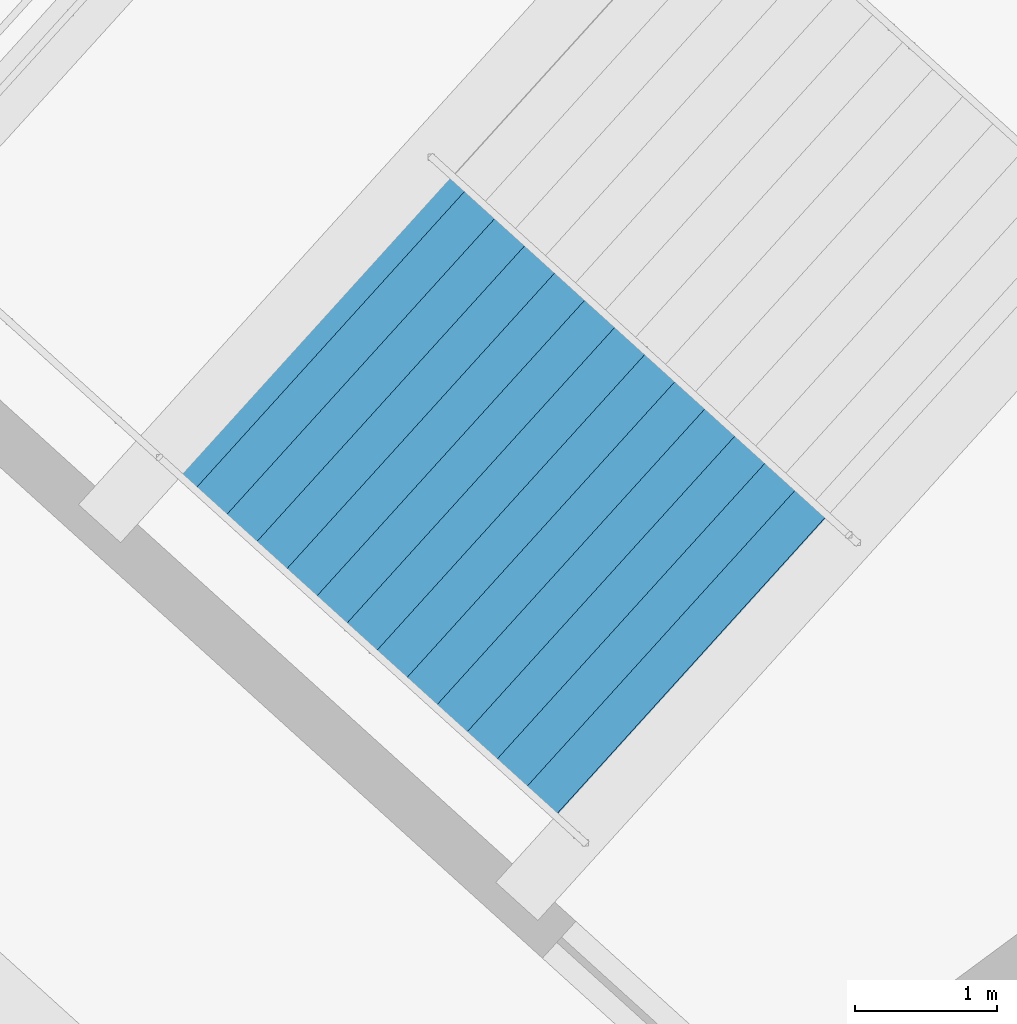
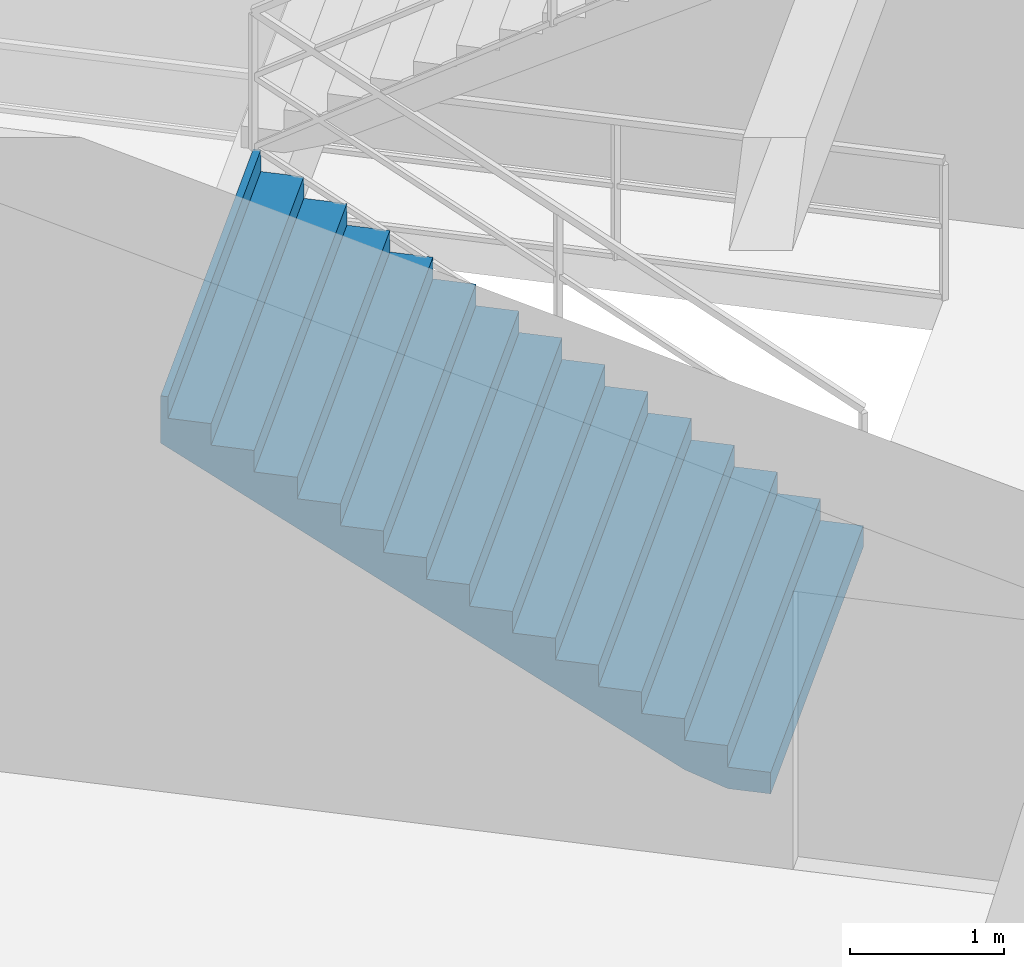
# One storey, part 173 of 184: 1 stair flight, 1 element without a shape of its own.
"""IFC4 building model written with IfcOpenShell, lengths in metres."""

from ifc_helpers import new_model, si_unit, direction, frame, origin, place, context, subcontext, project, spatial, polygons, material, type_object, element, aggregate, save


model = new_model("IFC4")

# Units and contexts
model_context = context("Model", 3, precision=1e-05, world=origin(), true_north=direction((0.0, 1.0)))
body_context = subcontext(model_context, "Body", "Model", "MODEL_VIEW")
ifc_project = project(units=[si_unit("LENGTHUNIT", "METRE"), si_unit("AREAUNIT", "SQUARE_METRE"), si_unit("VOLUMEUNIT", "CUBIC_METRE"), si_unit("PLANEANGLEUNIT", "RADIAN"), si_unit("MASSUNIT", "GRAM", prefix="KILO")], contexts=[model_context])

# Site, building, storey
site_placement = place(None, origin())
site = spatial("IfcSite", under=ifc_project, at=site_placement, CompositionType="ELEMENT")
building_placement = place(site_placement, origin())
building = spatial("IfcBuilding", under=site, at=building_placement, Name="Kazemori Nagisa Stadium", CompositionType="ELEMENT")
storey_placement = place(building_placement, frame((0.0, 0.0, 10.5400390625)))
storey = spatial("IfcBuildingStorey", under=building, at=storey_placement, Name="L02", CompositionType="ELEMENT", Elevation=10.5400390625)

# Stair, stair flight
ifc_material = material(Name="Concrete C36/45 (Fc36)", Category="concrete")
stair_type = type_object("IfcStairType", Name="Stair_CORE_30", PredefinedType="TWO_STRAIGHT_RUN_STAIR", material=ifc_material)
stair_placement = place(storey_placement, origin())
stair = element("IfcStair", 1, at=stair_placement, inside=storey, type_object=stair_type, Name="Exit stair ST01 L02", PredefinedType="TWO_STRAIGHT_RUN_STAIR")
stair_flight_type = type_object("IfcStairFlightType", Name="Flight_CORE_15", PredefinedType="STRAIGHT", material=ifc_material)
stair_flight_placement = place(storey_placement, frame((191.89208984375, 156.3369140625, 0.0), z_axis=(0.0, 0.0, 1.0), x_axis=(-0.741356002691, 0.671111970742, 0.0)))
stair_flight = element("IfcStairFlight", 2, at=stair_flight_placement, type_object=stair_flight_type, Name="Exit stair ST01 L02 flight 1", NumberOfRisers=15, NumberOfTreads=14, PredefinedType="STRAIGHT", RiserHeight=0.17, TreadLength=0.285, context=body_context, shape_type="Tessellation", body=[
    polygons([(0.0, -1.425048828125, 0.0), (0.0, -1.425048828125, 0.169921875), (0.284912109375, -1.425048828125, 0.169921875), (0.284912109375, -1.425048828125, 0.340087890625), (0.570068359375, -1.425048828125, 0.340087890625), (0.570068359375, -1.425048828125, 0.510009765625), (0.85498046875, -1.425048828125, 0.510009765625), (0.85498046875, -1.425048828125, 0.679931640625), (1.139892578125, -1.425048828125, 0.679931640625), (1.139892578125, -1.425048828125, 0.85009765625), (1.425048828125, -1.425048828125, 0.85009765625), (1.425048828125, -1.425048828125, 1.02001953125), (1.7099609375, -1.425048828125, 1.02001953125), (1.7099609375, -1.425048828125, 1.18994140625), (1.9951171875, -1.425048828125, 1.18994140625), (1.9951171875, -1.425048828125, 1.360107421875), (2.280029296875, -1.425048828125, 1.360107421875), (2.280029296875, -1.425048828125, 1.530029296875), (2.56494140625, -1.425048828125, 1.530029296875), (2.56494140625, -1.425048828125, 1.699951171875), (2.85009765625, -1.425048828125, 1.699951171875), (2.85009765625, -1.425048828125, 1.8701171875), (3.135009765625, -1.425048828125, 1.8701171875), (3.135009765625, -1.425048828125, 2.0400390625), (3.419921875, -1.425048828125, 2.0400390625), (3.419921875, -1.425048828125, 2.2099609375), (3.705078125, -1.425048828125, 2.2099609375), (3.705078125, -1.425048828125, 2.3798828125), (3.989990234375, -1.425048828125, 2.3798828125), (3.989990234375, -1.425048828125, 2.550048828125), (4.0400390625, -1.425048828125, 2.550048828125), (4.0400390625, -1.425048828125, 2.177001953125), (3.989990234375, -1.425048828125, 2.147216796875), (3.705078125, -1.425048828125, 1.977294921875), (3.419921875, -1.425048828125, 1.80712890625), (3.135009765625, -1.425048828125, 1.63720703125), (2.85009765625, -1.425048828125, 1.46728515625), (2.56494140625, -1.425048828125, 1.297119140625), (2.280029296875, -1.425048828125, 1.127197265625), (1.9951171875, -1.425048828125, 0.957275390625), (1.7099609375, -1.425048828125, 0.787109375), (1.425048828125, -1.425048828125, 0.6171875), (1.139892578125, -1.425048828125, 0.447265625), (0.85498046875, -1.425048828125, 0.277099609375), (0.570068359375, -1.425048828125, 0.107177734375), (0.284912109375, -1.425048828125, 0.0), (0.0, -0.08544921875, 0.0), (0.0, -0.08544921875, 0.169921875), (0.284912109375, -0.08544921875, 0.169921875), (0.284912109375, -0.08544921875, 0.340087890625), (0.570068359375, -0.08544921875, 0.340087890625), (0.570068359375, -0.08544921875, 0.510009765625), (0.85498046875, -0.08544921875, 0.510009765625), (0.85498046875, -0.08544921875, 0.679931640625), (1.139892578125, -0.08544921875, 0.679931640625), (1.139892578125, -0.08544921875, 0.85009765625), (1.425048828125, -0.08544921875, 0.85009765625), (1.425048828125, -0.08544921875, 1.02001953125), (1.7099609375, -0.08544921875, 1.02001953125), (1.7099609375, -0.08544921875, 1.18994140625), (1.9951171875, -0.08544921875, 1.18994140625), (1.9951171875, -0.08544921875, 1.360107421875), (2.280029296875, -0.08544921875, 1.360107421875), (2.280029296875, -0.08544921875, 1.530029296875), (2.56494140625, -0.08544921875, 1.530029296875), (2.56494140625, -0.08544921875, 1.699951171875), (2.85009765625, -0.08544921875, 1.699951171875), (2.85009765625, -0.08544921875, 1.8701171875), (3.135009765625, -0.08544921875, 1.8701171875), (3.135009765625, -0.08544921875, 2.0400390625), (3.419921875, -0.08544921875, 2.0400390625), (3.419921875, -0.08544921875, 2.2099609375), (3.705078125, -0.08544921875, 2.2099609375), (3.705078125, -0.08544921875, 2.3798828125), (3.989990234375, -0.08544921875, 2.3798828125), (3.989990234375, -0.08544921875, 2.550048828125), (4.0400390625, -0.08544921875, 2.550048828125), (4.0400390625, -0.08544921875, 2.177001953125), (3.989990234375, -0.08544921875, 2.147216796875), (3.705078125, -0.08544921875, 1.977294921875), (3.419921875, -0.08544921875, 1.80712890625), (3.135009765625, -0.08544921875, 1.63720703125), (2.85009765625, -0.08544921875, 1.46728515625), (2.56494140625, -0.08544921875, 1.297119140625), (2.280029296875, -0.08544921875, 1.127197265625), (1.9951171875, -0.08544921875, 0.957275390625), (1.7099609375, -0.08544921875, 0.787109375), (1.425048828125, -0.08544921875, 0.6171875), (1.139892578125, -0.08544921875, 0.447265625), (0.85498046875, -0.08544921875, 0.277099609375), (0.570068359375, -0.08544921875, 0.107177734375), (0.284912109375, -0.08544921875, 0.0), (0.0, 0.0, 0.0), (0.0, 0.0, 0.169921875), (0.284912109375, 0.0, 0.169921875), (0.284912109375, 0.0, 0.340087890625), (0.570068359375, 0.0, 0.340087890625), (0.570068359375, 0.0, 0.510009765625), (0.85498046875, 0.0, 0.510009765625), (0.85498046875, 0.0, 0.679931640625), (1.139892578125, 0.0, 0.679931640625), (1.139892578125, 0.0, 0.85009765625), (1.425048828125, 0.0, 0.85009765625), (1.425048828125, 0.0, 1.02001953125), (1.7099609375, 0.0, 1.02001953125), (1.7099609375, 0.0, 1.18994140625), (1.9951171875, 0.0, 1.18994140625), (1.9951171875, 0.0, 1.360107421875), (2.280029296875, 0.0, 1.360107421875), (2.280029296875, 0.0, 1.530029296875), (2.56494140625, 0.0, 1.530029296875), (2.56494140625, 0.0, 1.699951171875), (2.85009765625, 0.0, 1.699951171875), (2.85009765625, 0.0, 1.8701171875), (3.135009765625, 0.0, 1.8701171875), (3.135009765625, 0.0, 2.0400390625), (3.419921875, 0.0, 2.0400390625), (3.419921875, 0.0, 2.2099609375), (3.705078125, 0.0, 2.2099609375), (3.705078125, 0.0, 2.3798828125), (3.989990234375, 0.0, 2.3798828125), (3.989990234375, 0.0, 2.550048828125), (4.0400390625, 0.0, 2.550048828125), (4.0400390625, 0.0, 2.177001953125), (3.989990234375, 0.0, 2.147216796875), (3.705078125, 0.0, 1.977294921875), (3.419921875, 0.0, 1.80712890625), (3.135009765625, 0.0, 1.63720703125), (2.85009765625, 0.0, 1.46728515625), (2.56494140625, 0.0, 1.297119140625), (2.280029296875, 0.0, 1.127197265625), (1.9951171875, 0.0, 0.957275390625), (1.7099609375, 0.0, 0.787109375), (1.425048828125, 0.0, 0.6171875), (1.139892578125, 0.0, 0.447265625), (0.85498046875, 0.0, 0.277099609375), (0.570068359375, 0.0, 0.107177734375), (0.284912109375, 0.0, 0.0), (0.0, 0.08544921875, 0.0), (0.0, 0.08544921875, 0.169921875), (0.284912109375, 0.08544921875, 0.169921875), (0.284912109375, 0.08544921875, 0.340087890625), (0.570068359375, 0.08544921875, 0.340087890625), (0.570068359375, 0.08544921875, 0.510009765625), (0.85498046875, 0.08544921875, 0.510009765625), (0.85498046875, 0.08544921875, 0.679931640625), (1.139892578125, 0.08544921875, 0.679931640625), (1.139892578125, 0.08544921875, 0.85009765625), (1.425048828125, 0.08544921875, 0.85009765625), (1.425048828125, 0.08544921875, 1.02001953125), (1.7099609375, 0.08544921875, 1.02001953125), (1.7099609375, 0.08544921875, 1.18994140625), (1.9951171875, 0.08544921875, 1.18994140625), (1.9951171875, 0.08544921875, 1.360107421875), (2.280029296875, 0.08544921875, 1.360107421875), (2.280029296875, 0.08544921875, 1.530029296875), (2.56494140625, 0.08544921875, 1.530029296875), (2.56494140625, 0.08544921875, 1.699951171875), (2.85009765625, 0.08544921875, 1.699951171875), (2.85009765625, 0.08544921875, 1.8701171875), (3.135009765625, 0.08544921875, 1.8701171875), (3.135009765625, 0.08544921875, 2.0400390625), (3.419921875, 0.08544921875, 2.0400390625), (3.419921875, 0.08544921875, 2.2099609375), (3.705078125, 0.08544921875, 2.2099609375), (3.705078125, 0.08544921875, 2.3798828125), (3.989990234375, 0.08544921875, 2.3798828125), (3.989990234375, 0.08544921875, 2.550048828125), (4.0400390625, 0.08544921875, 2.550048828125), (4.0400390625, 0.08544921875, 2.177001953125), (3.989990234375, 0.08544921875, 2.147216796875), (3.705078125, 0.08544921875, 1.977294921875), (3.419921875, 0.08544921875, 1.80712890625), (3.135009765625, 0.08544921875, 1.63720703125), (2.85009765625, 0.08544921875, 1.46728515625), (2.56494140625, 0.08544921875, 1.297119140625), (2.280029296875, 0.08544921875, 1.127197265625), (1.9951171875, 0.08544921875, 0.957275390625), (1.7099609375, 0.08544921875, 0.787109375), (1.425048828125, 0.08544921875, 0.6171875), (1.139892578125, 0.08544921875, 0.447265625), (0.85498046875, 0.08544921875, 0.277099609375), (0.570068359375, 0.08544921875, 0.107177734375), (0.284912109375, 0.08544921875, 0.0), (0.0, 1.425048828125, 0.0), (0.0, 1.425048828125, 0.169921875), (0.284912109375, 1.425048828125, 0.169921875), (0.284912109375, 1.425048828125, 0.340087890625), (0.570068359375, 1.425048828125, 0.340087890625), (0.570068359375, 1.425048828125, 0.510009765625), (0.85498046875, 1.425048828125, 0.510009765625), (0.85498046875, 1.425048828125, 0.679931640625), (1.139892578125, 1.425048828125, 0.679931640625), (1.139892578125, 1.425048828125, 0.85009765625), (1.425048828125, 1.425048828125, 0.85009765625), (1.425048828125, 1.425048828125, 1.02001953125), (1.7099609375, 1.425048828125, 1.02001953125), (1.7099609375, 1.425048828125, 1.18994140625), (1.9951171875, 1.425048828125, 1.18994140625), (1.9951171875, 1.425048828125, 1.360107421875), (2.280029296875, 1.425048828125, 1.360107421875), (2.280029296875, 1.425048828125, 1.530029296875), (2.56494140625, 1.425048828125, 1.530029296875), (2.56494140625, 1.425048828125, 1.699951171875), (2.85009765625, 1.425048828125, 1.699951171875), (2.85009765625, 1.425048828125, 1.8701171875), (3.135009765625, 1.425048828125, 1.8701171875), (3.135009765625, 1.425048828125, 2.0400390625), (3.419921875, 1.425048828125, 2.0400390625), (3.419921875, 1.425048828125, 2.2099609375), (3.705078125, 1.425048828125, 2.2099609375), (3.705078125, 1.425048828125, 2.3798828125), (3.989990234375, 1.425048828125, 2.3798828125), (3.989990234375, 1.425048828125, 2.550048828125), (4.0400390625, 1.425048828125, 2.550048828125), (4.0400390625, 1.425048828125, 2.177001953125), (3.989990234375, 1.425048828125, 2.147216796875), (3.705078125, 1.425048828125, 1.977294921875), (3.419921875, 1.425048828125, 1.80712890625), (3.135009765625, 1.425048828125, 1.63720703125), (2.85009765625, 1.425048828125, 1.46728515625), (2.56494140625, 1.425048828125, 1.297119140625), (2.280029296875, 1.425048828125, 1.127197265625), (1.9951171875, 1.425048828125, 0.957275390625), (1.7099609375, 1.425048828125, 0.787109375), (1.425048828125, 1.425048828125, 0.6171875), (1.139892578125, 1.425048828125, 0.447265625), (0.85498046875, 1.425048828125, 0.277099609375), (0.570068359375, 1.425048828125, 0.107177734375), (0.284912109375, 1.425048828125, 0.0)], [[[1, 2, 48]], [[1, 48, 47]], [[2, 3, 49]], [[2, 49, 48]], [[3, 4, 50]], [[3, 50, 49]], [[4, 5, 51]], [[4, 51, 50]], [[5, 6, 52]], [[5, 52, 51]], [[6, 7, 53]], [[6, 53, 52]], [[7, 8, 54]], [[7, 54, 53]], [[8, 9, 55]], [[8, 55, 54]], [[9, 10, 56]], [[9, 56, 55]], [[10, 11, 57]], [[10, 57, 56]], [[11, 12, 58]], [[11, 58, 57]], [[12, 13, 59]], [[12, 59, 58]], [[13, 14, 60]], [[13, 60, 59]], [[14, 15, 61]], [[14, 61, 60]], [[15, 16, 62]], [[15, 62, 61]], [[16, 17, 63]], [[16, 63, 62]], [[17, 18, 64]], [[17, 64, 63]], [[18, 19, 65]], [[18, 65, 64]], [[19, 20, 66]], [[19, 66, 65]], [[20, 21, 67]], [[20, 67, 66]], [[21, 22, 68]], [[21, 68, 67]], [[22, 23, 69]], [[22, 69, 68]], [[23, 24, 70]], [[23, 70, 69]], [[24, 25, 71]], [[24, 71, 70]], [[25, 26, 72]], [[25, 72, 71]], [[26, 27, 73]], [[26, 73, 72]], [[27, 28, 74]], [[27, 74, 73]], [[28, 29, 75]], [[28, 75, 74]], [[29, 30, 76]], [[29, 76, 75]], [[30, 31, 77]], [[30, 77, 76]], [[31, 32, 78]], [[31, 78, 77]], [[32, 33, 79]], [[32, 79, 78]], [[33, 34, 80]], [[33, 80, 79]], [[34, 35, 81]], [[34, 81, 80]], [[35, 36, 82]], [[35, 82, 81]], [[36, 37, 83]], [[36, 83, 82]], [[37, 38, 84]], [[37, 84, 83]], [[38, 39, 85]], [[38, 85, 84]], [[39, 40, 86]], [[39, 86, 85]], [[40, 41, 87]], [[40, 87, 86]], [[41, 42, 88]], [[41, 88, 87]], [[42, 43, 89]], [[42, 89, 88]], [[43, 44, 90]], [[43, 90, 89]], [[44, 45, 91]], [[44, 91, 90]], [[45, 46, 92]], [[45, 92, 91]], [[46, 1, 47]], [[46, 47, 92]], [[47, 48, 94]], [[47, 94, 93]], [[48, 49, 95]], [[48, 95, 94]], [[49, 50, 96]], [[49, 96, 95]], [[50, 51, 97]], [[50, 97, 96]], [[51, 52, 98]], [[51, 98, 97]], [[52, 53, 99]], [[52, 99, 98]], [[53, 54, 100]], [[53, 100, 99]], [[54, 55, 101]], [[54, 101, 100]], [[55, 56, 102]], [[55, 102, 101]], [[56, 57, 103]], [[56, 103, 102]], [[57, 58, 104]], [[57, 104, 103]], [[58, 59, 105]], [[58, 105, 104]], [[59, 60, 106]], [[59, 106, 105]], [[60, 61, 107]], [[60, 107, 106]], [[61, 62, 108]], [[61, 108, 107]], [[62, 63, 109]], [[62, 109, 108]], [[63, 64, 110]], [[63, 110, 109]], [[64, 65, 111]], [[64, 111, 110]], [[65, 66, 112]], [[65, 112, 111]], [[66, 67, 113]], [[66, 113, 112]], [[67, 68, 114]], [[67, 114, 113]], [[68, 69, 115]], [[68, 115, 114]], [[69, 70, 116]], [[69, 116, 115]], [[70, 71, 117]], [[70, 117, 116]], [[71, 72, 118]], [[71, 118, 117]], [[72, 73, 119]], [[72, 119, 118]], [[73, 74, 120]], [[73, 120, 119]], [[74, 75, 121]], [[74, 121, 120]], [[75, 76, 122]], [[75, 122, 121]], [[76, 77, 123]], [[76, 123, 122]], [[77, 78, 124]], [[77, 124, 123]], [[78, 79, 125]], [[78, 125, 124]], [[79, 80, 126]], [[79, 126, 125]], [[80, 81, 127]], [[80, 127, 126]], [[81, 82, 128]], [[81, 128, 127]], [[82, 83, 129]], [[82, 129, 128]], [[83, 84, 130]], [[83, 130, 129]], [[84, 85, 131]], [[84, 131, 130]], [[85, 86, 132]], [[85, 132, 131]], [[86, 87, 133]], [[86, 133, 132]], [[87, 88, 134]], [[87, 134, 133]], [[88, 89, 135]], [[88, 135, 134]], [[89, 90, 136]], [[89, 136, 135]], [[90, 91, 137]], [[90, 137, 136]], [[91, 92, 138]], [[91, 138, 137]], [[92, 47, 93]], [[92, 93, 138]], [[93, 94, 140]], [[93, 140, 139]], [[94, 95, 141]], [[94, 141, 140]], [[95, 96, 142]], [[95, 142, 141]], [[96, 97, 143]], [[96, 143, 142]], [[97, 98, 144]], [[97, 144, 143]], [[98, 99, 145]], [[98, 145, 144]], [[99, 100, 146]], [[99, 146, 145]], [[100, 101, 147]], [[100, 147, 146]], [[101, 102, 148]], [[101, 148, 147]], [[102, 103, 149]], [[102, 149, 148]], [[103, 104, 150]], [[103, 150, 149]], [[104, 105, 151]], [[104, 151, 150]], [[105, 106, 152]], [[105, 152, 151]], [[106, 107, 153]], [[106, 153, 152]], [[107, 108, 154]], [[107, 154, 153]], [[108, 109, 155]], [[108, 155, 154]], [[109, 110, 156]], [[109, 156, 155]], [[110, 111, 157]], [[110, 157, 156]], [[111, 112, 158]], [[111, 158, 157]], [[112, 113, 159]], [[112, 159, 158]], [[113, 114, 160]], [[113, 160, 159]], [[114, 115, 161]], [[114, 161, 160]], [[115, 116, 162]], [[115, 162, 161]], [[116, 117, 163]], [[116, 163, 162]], [[117, 118, 164]], [[117, 164, 163]], [[118, 119, 165]], [[118, 165, 164]], [[119, 120, 166]], [[119, 166, 165]], [[120, 121, 167]], [[120, 167, 166]], [[121, 122, 168]], [[121, 168, 167]], [[122, 123, 169]], [[122, 169, 168]], [[123, 124, 170]], [[123, 170, 169]], [[124, 125, 171]], [[124, 171, 170]], [[125, 126, 172]], [[125, 172, 171]], [[126, 127, 173]], [[126, 173, 172]], [[127, 128, 174]], [[127, 174, 173]], [[128, 129, 175]], [[128, 175, 174]], [[129, 130, 176]], [[129, 176, 175]], [[130, 131, 177]], [[130, 177, 176]], [[131, 132, 178]], [[131, 178, 177]], [[132, 133, 179]], [[132, 179, 178]], [[133, 134, 180]], [[133, 180, 179]], [[134, 135, 181]], [[134, 181, 180]], [[135, 136, 182]], [[135, 182, 181]], [[136, 137, 183]], [[136, 183, 182]], [[137, 138, 184]], [[137, 184, 183]], [[138, 93, 139]], [[138, 139, 184]], [[139, 140, 186]], [[139, 186, 185]], [[140, 141, 187]], [[140, 187, 186]], [[141, 142, 188]], [[141, 188, 187]], [[142, 143, 189]], [[142, 189, 188]], [[143, 144, 190]], [[143, 190, 189]], [[144, 145, 191]], [[144, 191, 190]], [[145, 146, 192]], [[145, 192, 191]], [[146, 147, 193]], [[146, 193, 192]], [[147, 148, 194]], [[147, 194, 193]], [[148, 149, 195]], [[148, 195, 194]], [[149, 150, 196]], [[149, 196, 195]], [[150, 151, 197]], [[150, 197, 196]], [[151, 152, 198]], [[151, 198, 197]], [[152, 153, 199]], [[152, 199, 198]], [[153, 154, 200]], [[153, 200, 199]], [[154, 155, 201]], [[154, 201, 200]], [[155, 156, 202]], [[155, 202, 201]], [[156, 157, 203]], [[156, 203, 202]], [[157, 158, 204]], [[157, 204, 203]], [[158, 159, 205]], [[158, 205, 204]], [[159, 160, 206]], [[159, 206, 205]], [[160, 161, 207]], [[160, 207, 206]], [[161, 162, 208]], [[161, 208, 207]], [[162, 163, 209]], [[162, 209, 208]], [[163, 164, 210]], [[163, 210, 209]], [[164, 165, 211]], [[164, 211, 210]], [[165, 166, 212]], [[165, 212, 211]], [[166, 167, 213]], [[166, 213, 212]], [[167, 168, 214]], [[167, 214, 213]], [[168, 169, 215]], [[168, 215, 214]], [[169, 170, 216]], [[169, 216, 215]], [[170, 171, 217]], [[170, 217, 216]], [[171, 172, 218]], [[171, 218, 217]], [[172, 173, 219]], [[172, 219, 218]], [[173, 174, 220]], [[173, 220, 219]], [[174, 175, 221]], [[174, 221, 220]], [[175, 176, 222]], [[175, 222, 221]], [[176, 177, 223]], [[176, 223, 222]], [[177, 178, 224]], [[177, 224, 223]], [[178, 179, 225]], [[178, 225, 224]], [[179, 180, 226]], [[179, 226, 225]], [[180, 181, 227]], [[180, 227, 226]], [[181, 182, 228]], [[181, 228, 227]], [[182, 183, 229]], [[182, 229, 228]], [[183, 184, 230]], [[183, 230, 229]], [[184, 139, 185]], [[184, 185, 230]], [[3, 2, 1]], [[185, 186, 187]], [[46, 3, 1]], [[185, 187, 230]], [[45, 3, 46]], [[230, 187, 229]], [[5, 3, 45]], [[229, 187, 189]], [[5, 4, 3]], [[187, 188, 189]], [[44, 5, 45]], [[229, 189, 228]], [[7, 5, 44]], [[228, 189, 191]], [[7, 6, 5]], [[189, 190, 191]], [[43, 7, 44]], [[228, 191, 227]], [[9, 7, 43]], [[227, 191, 193]], [[9, 8, 7]], [[191, 192, 193]], [[42, 9, 43]], [[227, 193, 226]], [[11, 9, 42]], [[226, 193, 195]], [[11, 10, 9]], [[193, 194, 195]], [[41, 11, 42]], [[226, 195, 225]], [[13, 11, 41]], [[225, 195, 197]], [[13, 12, 11]], [[195, 196, 197]], [[40, 13, 41]], [[225, 197, 224]], [[15, 13, 40]], [[224, 197, 199]], [[15, 14, 13]], [[197, 198, 199]], [[39, 15, 40]], [[224, 199, 223]], [[17, 15, 39]], [[223, 199, 201]], [[17, 16, 15]], [[199, 200, 201]], [[38, 17, 39]], [[223, 201, 222]], [[19, 17, 38]], [[222, 201, 203]], [[19, 18, 17]], [[201, 202, 203]], [[37, 19, 38]], [[222, 203, 221]], [[21, 19, 37]], [[221, 203, 205]], [[21, 20, 19]], [[203, 204, 205]], [[36, 21, 37]], [[221, 205, 220]], [[23, 21, 36]], [[220, 205, 207]], [[23, 22, 21]], [[205, 206, 207]], [[35, 23, 36]], [[220, 207, 219]], [[25, 23, 35]], [[219, 207, 209]], [[25, 24, 23]], [[207, 208, 209]], [[34, 25, 35]], [[219, 209, 218]], [[27, 25, 34]], [[218, 209, 211]], [[27, 26, 25]], [[209, 210, 211]], [[33, 27, 34]], [[218, 211, 217]], [[29, 27, 33]], [[217, 211, 213]], [[29, 28, 27]], [[211, 212, 213]], [[32, 29, 33]], [[217, 213, 216]], [[31, 29, 32]], [[216, 213, 215]], [[31, 30, 29]], [[213, 214, 215]]], closed=True),
])
aggregate(stair, [stair_flight])

save(model, "model.ifc")
